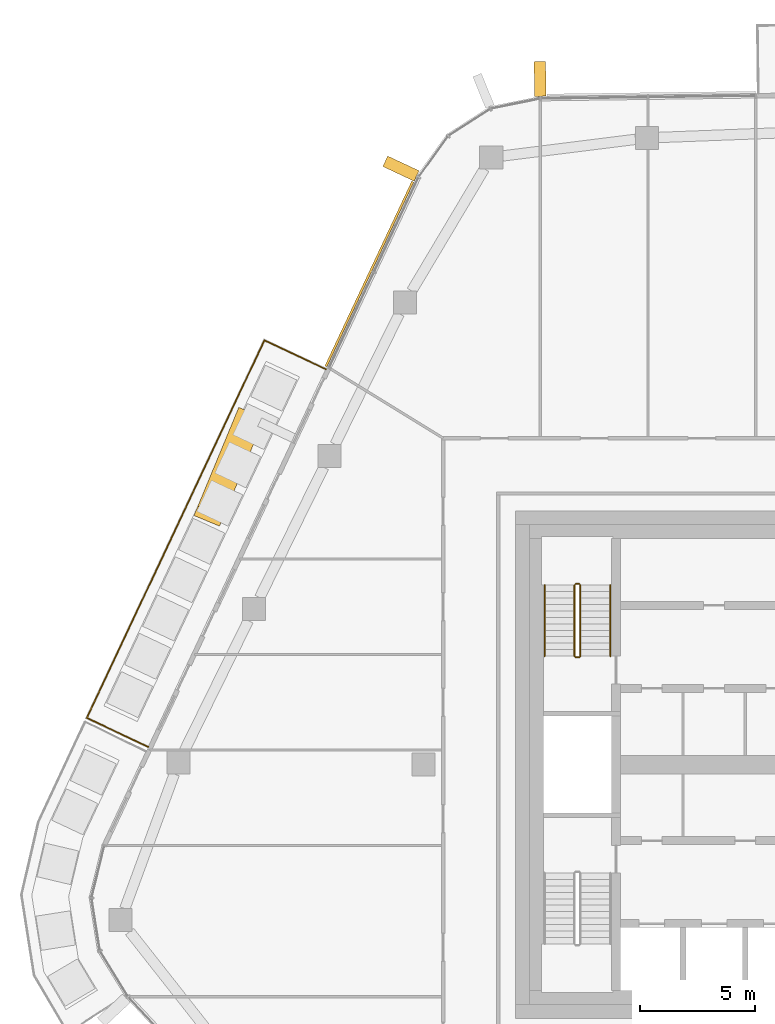
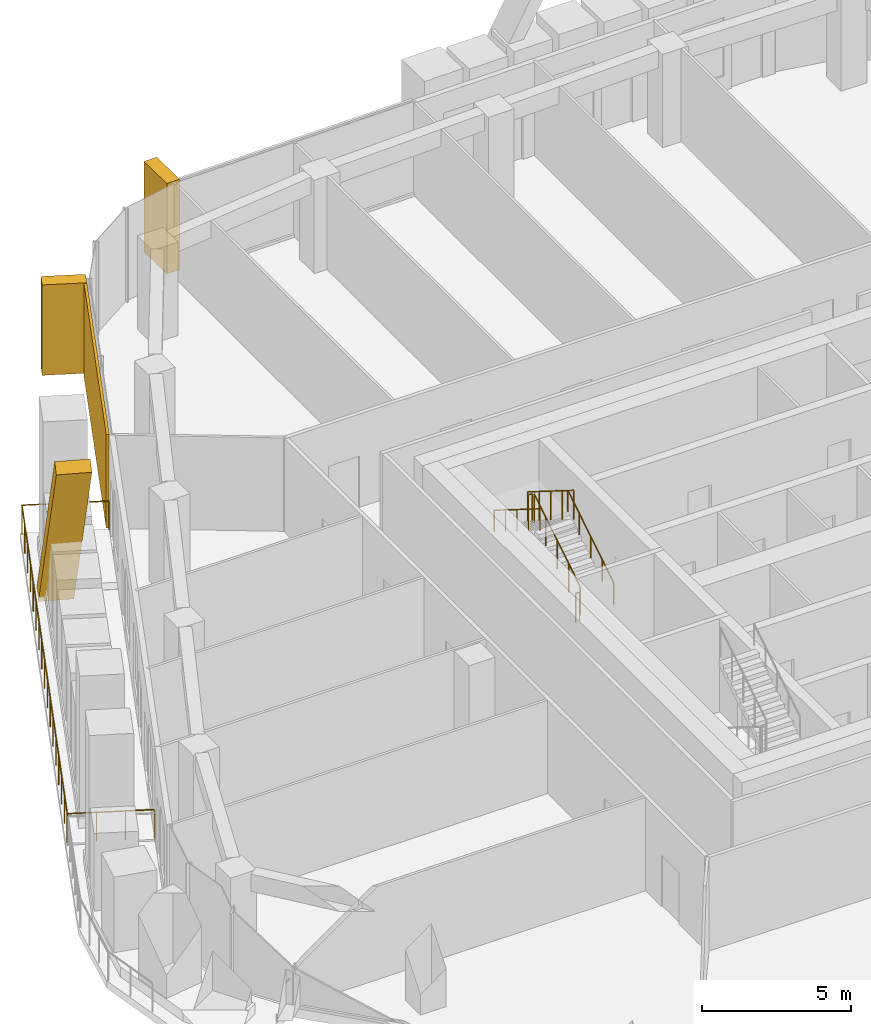
# One storey, part 21 of 23: 7 railings, 4 coverings, 2 elements without a shape of their own.
"""IFC4 building model written with IfcOpenShell, lengths in metres."""

from ifc_helpers import new_model, si_unit, direction, frame, origin, origin_2d, place, context, subcontext, project, spatial, rectangle, circle, extrude, material, layer, layer_set, material_profile, profile_set, type_object, element, aggregate, save


model = new_model("IFC4")

# Units and contexts
model_context = context("Model", 3, precision=1e-05, world=origin(), true_north=direction((0.0, 1.0)))
body_context = subcontext(model_context, "Body", "Model", "MODEL_VIEW")
ifc_project = project(units=[si_unit("LENGTHUNIT", "METRE"), si_unit("AREAUNIT", "SQUARE_METRE"), si_unit("VOLUMEUNIT", "CUBIC_METRE"), si_unit("PLANEANGLEUNIT", "RADIAN"), si_unit("MASSUNIT", "GRAM", prefix="KILO")], contexts=[model_context])

# Site, building, storey
site_placement = place(None, origin())
site = spatial("IfcSite", under=ifc_project, at=site_placement, CompositionType="ELEMENT")
building_placement = place(site_placement, origin())
building = spatial("IfcBuilding", under=site, at=building_placement, Name="Dongbaek Canopy Tower", CompositionType="ELEMENT")
storey_placement = place(building_placement, frame((0.0, 0.0, 340.39990234375)))
storey = spatial("IfcBuildingStorey", under=building, at=storey_placement, Name="L73", CompositionType="ELEMENT", Elevation=340.39990234375)

# Railing
ifc_material_1 = material(Name="Stainless steel", Category="steel")
railing_type_1 = type_object("IfcRailingType", Name="Balcony balustrade 1200", PredefinedType="BALUSTRADE", material=ifc_material_1)
railing_1_placement = place(storey_placement, frame((-22.236083984375, 17.13818359375, 0.0)))
element("IfcRailing", 1, at=railing_1_placement, inside=storey, type_object=railing_type_1, Name="Balcony guard L73 3", PredefinedType="BALUSTRADE", context=body_context, shape_type="SweptSolid", body=[
    extrude(circle(Radius=0.02392578125, at=origin_2d()), frame((0.0, 0.0, 1.17578125), z_axis=(-0.904961676256, 0.425493083973, 0.0), x_axis=(-0.425493083973, -0.904961676256, 0.0)), (0.0, 0.0, 1.0), 2.93994140625),
    extrude(circle(Radius=0.02392578125, at=origin_2d()), frame((-2.66064453125, 1.2509765625, 1.17578125), z_axis=(-0.425494781749, -0.904960877997, 0.0), x_axis=(0.904960877997, -0.425494781749, 0.0)), (0.0, 0.0, 1.0), 18.089599609375),
    extrude(circle(Radius=0.02392578125, at=origin_2d()), frame((-10.357666015625, -15.119384765625, 1.17578125), z_axis=(0.904961676256, -0.425493083973, 0.0), x_axis=(0.425493083973, 0.904961676256, 0.0)), (0.0, 0.0, 1.0), 2.93994140625),
    extrude(circle(Radius=0.02099609375, at=origin_2d()), origin(), (0.0, 0.0, 1.0), 1.15185546875),
    extrude(circle(Radius=0.02099609375, at=origin_2d()), frame((-0.886962890625, 0.4169921875, 0.0)), (0.0, 0.0, 1.0), 1.15185546875),
    extrude(circle(Radius=0.02099609375, at=origin_2d()), frame((-1.773681640625, 0.833984375, 0.0)), (0.0, 0.0, 1.0), 1.15185546875),
    extrude(circle(Radius=0.02099609375, at=origin_2d()), frame((-2.66064453125, 1.2509765625, 0.0)), (0.0, 0.0, 1.0), 1.15185546875),
    extrude(circle(Radius=0.02099609375, at=origin_2d()), frame((-3.1416015625, 0.227783203125, 0.0)), (0.0, 0.0, 1.0), 1.15185546875),
    extrude(circle(Radius=0.02099609375, at=origin_2d()), frame((-3.622802734375, -0.79541015625, 0.0)), (0.0, 0.0, 1.0), 1.15185546875),
    extrude(circle(Radius=0.02099609375, at=origin_2d()), frame((-4.103759765625, -1.818359375, 0.0)), (0.0, 0.0, 1.0), 1.15185546875),
    extrude(circle(Radius=0.02099609375, at=origin_2d()), frame((-4.5849609375, -2.841552734375, 0.0)), (0.0, 0.0, 1.0), 1.15185546875),
    extrude(circle(Radius=0.02099609375, at=origin_2d()), frame((-5.06591796875, -3.86474609375, 0.0)), (0.0, 0.0, 1.0), 1.15185546875),
    extrude(circle(Radius=0.02099609375, at=origin_2d()), frame((-5.547119140625, -4.887939453125, 0.0)), (0.0, 0.0, 1.0), 1.15185546875),
    extrude(circle(Radius=0.02099609375, at=origin_2d()), frame((-6.028076171875, -5.9111328125, 0.0)), (0.0, 0.0, 1.0), 1.15185546875),
    extrude(circle(Radius=0.02099609375, at=origin_2d()), frame((-6.50927734375, -6.93408203125, 0.0)), (0.0, 0.0, 1.0), 1.15185546875),
    extrude(circle(Radius=0.02099609375, at=origin_2d()), frame((-6.990234375, -7.957275390625, 0.0)), (0.0, 0.0, 1.0), 1.15185546875),
    extrude(circle(Radius=0.02099609375, at=origin_2d()), frame((-7.47119140625, -8.98046875, 0.0)), (0.0, 0.0, 1.0), 1.15185546875),
    extrude(circle(Radius=0.02099609375, at=origin_2d()), frame((-7.952392578125, -10.003662109375, 0.0)), (0.0, 0.0, 1.0), 1.15185546875),
    extrude(circle(Radius=0.02099609375, at=origin_2d()), frame((-8.433349609375, -11.02685546875, 0.0)), (0.0, 0.0, 1.0), 1.15185546875),
    extrude(circle(Radius=0.02099609375, at=origin_2d()), frame((-8.91455078125, -12.050048828125, 0.0)), (0.0, 0.0, 1.0), 1.15185546875),
    extrude(circle(Radius=0.02099609375, at=origin_2d()), frame((-9.3955078125, -13.072998046875, 0.0)), (0.0, 0.0, 1.0), 1.15185546875),
    extrude(circle(Radius=0.02099609375, at=origin_2d()), frame((-9.876708984375, -14.09619140625, 0.0)), (0.0, 0.0, 1.0), 1.15185546875),
    extrude(circle(Radius=0.02099609375, at=origin_2d()), frame((-10.357666015625, -15.119384765625, 0.0)), (0.0, 0.0, 1.0), 1.15185546875),
    extrude(circle(Radius=0.02099609375, at=origin_2d()), frame((-9.470703125, -15.536376953125, 0.0)), (0.0, 0.0, 1.0), 1.15185546875),
    extrude(circle(Radius=0.02099609375, at=origin_2d()), frame((-8.583984375, -15.953369140625, 0.0)), (0.0, 0.0, 1.0), 1.15185546875),
    extrude(circle(Radius=0.02099609375, at=origin_2d()), frame((-7.697021484375, -16.370361328125, 0.0)), (0.0, 0.0, 1.0), 1.15185546875),
])

# Curtain wall, coverings
ifc_material_2 = material(Name="Aluminium 6063-T6 pale anodised", Category="aluminium")
ifc_layer_1 = layer(ifc_material_2, 0.199951171875)
ifc_layer_set_1 = layer_set([ifc_layer_1], Name="CW-1 unitised tower curtain wall")
curtain_wall_type = type_object("IfcCurtainWallType", Name="CW-1 unitised tower curtain wall", PredefinedType="NOTDEFINED", material=ifc_layer_set_1)
curtain_wall_1_placement = place(storey_placement, origin())
curtain_wall_1 = element("IfcCurtainWall", 2, at=curtain_wall_1_placement, inside=storey, type_object=curtain_wall_type, Name="CW-1 curtain wall F2.1", PredefinedType="NOTDEFINED")
ifc_material_3 = material(Name="Aluminium 6063-T6 pale metal fin", Category="aluminium")
ifc_material_profile_1 = material_profile(ifc_material_3, rectangle(XDim=1.199951171875, YDim=0.5, at=origin_2d()), Name="Crease fin CF1 500 x 1200 pale metal")
ifc_profile_set_1 = profile_set([ifc_material_profile_1], Name="Aluminium 6063-T6 pale metal fin")
covering_type_1 = type_object("IfcCoveringType", Name="Crease fin CF1 500 x 1200 pale metal", PredefinedType="CLADDING", material=ifc_profile_set_1)
covering_1_placement = place(storey_placement, frame((-25.53515625, 15.04833984375, -0.18994140625), z_axis=(-0.185020468083, -0.446329117063, 0.875532835279), x_axis=(0.923773469871, -0.382939389933, 0.0)))
covering_1 = element("IfcCovering", 3, at=covering_1_placement, type_object=covering_type_1, Name="Crease fin L73 L75 F2", PredefinedType="CLADDING", context=body_context, shape_type="SweptSolid", body=[
    extrude(rectangle(XDim=1.199951171875, YDim=0.5, at=origin_2d()), origin(), (0.0, 0.0, 1.0), 9.59423828125),
])
ifc_material_4 = material(Name="Perforated aluminium 6063-T6 pale metal screen", Category="aluminium")
ifc_layer_2 = layer(ifc_material_4, 0.10009765625)
ifc_layer_set_2 = layer_set([ifc_layer_2], Name="Facet screen FS1 100 pale metal")
covering_type_2 = type_object("IfcCoveringType", Name="Facet screen FS1 100 pale metal", PredefinedType="CLADDING", material=ifc_layer_set_2)
covering_2_placement = place(storey_placement, frame((-20.346923828125, 21.26416015625, 0.0), z_axis=(0.0, 0.0, 1.0), x_axis=(-0.425499749114, -0.904958542423, 0.0)))
covering_2 = element("IfcCovering", 4, at=covering_2_placement, type_object=covering_type_2, Name="Facet screen L73 F2", PredefinedType="CLADDING", context=body_context, shape_type="SweptSolid", body=[
    extrude(rectangle(XDim=8.85546875, YDim=0.10009765625, at=origin_2d()), origin(), (0.0, 0.0, 1.0), 3.820068359375),
])

# Curtain wall, covering
curtain_wall_2_placement = place(storey_placement, origin())
curtain_wall_2 = element("IfcCurtainWall", 5, at=curtain_wall_2_placement, inside=storey, type_object=curtain_wall_type, Name="CW-1 curtain wall F1.1", PredefinedType="NOTDEFINED")
ifc_material_5 = material(Name="Aluminium 6063-T6 pale metal fin", Category="aluminium")
ifc_material_profile_2 = material_profile(ifc_material_5, rectangle(XDim=1.5, YDim=0.5, at=origin_2d()), Name="Fin FN1 500 x 1500 pale metal")
ifc_profile_set_2 = profile_set([ifc_material_profile_2], Name="Aluminium 6063-T6 pale metal fin")
covering_type_3 = type_object("IfcCoveringType", Name="Fin FN1 500 x 1500 pale metal", PredefinedType="CLADDING", material=ifc_profile_set_2)
covering_3_placement = place(storey_placement, frame((-12.943603515625, 29.718994140625, 0.1201171875), z_axis=(0.0, 0.0, 1.0), x_axis=(-0.013165315653, 0.999913333476, 0.0)))
covering_3 = element("IfcCovering", 6, at=covering_3_placement, type_object=covering_type_3, Name="Fin F1.1.3", PredefinedType="CLADDING", context=body_context, shape_type="SweptSolid", body=[
    extrude(rectangle(XDim=1.5, YDim=0.5, at=origin_2d()), origin(), (0.0, 0.0, 1.0), 3.699951171875),
])
aggregate(curtain_wall_2, [covering_3])

# Covering
covering_4_placement = place(storey_placement, frame((-18.9765625, 25.8330078125, 0.1201171875), z_axis=(0.0, 0.0, 1.0), x_axis=(-0.90495825448, 0.425500361514, 0.0)))
covering_4 = element("IfcCovering", 7, at=covering_4_placement, type_object=covering_type_3, Name="Fin F2.1.1", PredefinedType="CLADDING", context=body_context, shape_type="SweptSolid", body=[
    extrude(rectangle(XDim=1.5, YDim=0.5, at=origin_2d()), origin(), (0.0, 0.0, 1.0), 3.699951171875),
])

aggregate(curtain_wall_1, [covering_4, covering_1, covering_2])

# Railings
ifc_material_6 = material(Name="Stainless steel tube and balusters", Category="steel")
railing_type_2 = type_object("IfcRailingType", Name="Stair guard 1200", PredefinedType="GUARDRAIL", material=ifc_material_6)
railing_2_placement = place(storey_placement, frame((-11.199951171875, 4.699951171875, 0.175048828125)))
element("IfcRailing", 8, at=railing_2_placement, inside=storey, type_object=railing_type_2, Name="L73 ST-C stair guard 1", PredefinedType="GUARDRAIL", context=body_context, shape_type="SweptSolid", body=[
    extrude(circle(Radius=0.02392578125, at=origin_2d()), frame((0.0, 0.0, 1.17578125), z_axis=(0.0, 0.847998304005, 0.529998940003), x_axis=(-1.0, 0.0, 0.0)), (0.0, 0.0, 1.0), 3.632080078125),
    extrude(circle(Radius=0.02099609375, at=origin_2d()), origin(), (0.0, 0.0, 1.0), 1.15185546875),
    extrude(circle(Radius=0.02099609375, at=origin_2d()), frame((0.0, 0.77001953125, 0.481201171875)), (0.0, 0.0, 1.0), 1.15185546875),
    extrude(circle(Radius=0.02099609375, at=origin_2d()), frame((0.0, 1.5400390625, 0.96240234375)), (0.0, 0.0, 1.0), 1.15185546875),
    extrude(circle(Radius=0.02099609375, at=origin_2d()), frame((0.0, 2.31005859375, 1.44384765625)), (0.0, 0.0, 1.0), 1.15185546875),
    extrude(circle(Radius=0.02099609375, at=origin_2d()), frame((0.0, 3.080078125, 1.925048828125)), (0.0, 0.0, 1.0), 1.15185546875),
])
railing_3_placement = place(storey_placement, frame((-11.25, 7.830078125, 2.10009765625)))
element("IfcRailing", 9, at=railing_3_placement, inside=storey, type_object=railing_type_2, Name="L73 ST-C stair guard 2", PredefinedType="GUARDRAIL", context=body_context, shape_type="SweptSolid", body=[
    extrude(circle(Radius=0.02392578125, at=origin_2d()), frame((0.0, 0.0, 1.17578125), z_axis=(-1.0, 0.0, 0.0), x_axis=(0.0, -1.0, 0.0)), (0.0, 0.0, 1.0), 0.14990234375),
    extrude(circle(Radius=0.02099609375, at=origin_2d()), origin(), (0.0, 0.0, 1.0), 1.15185546875),
    extrude(circle(Radius=0.02099609375, at=origin_2d()), frame((-0.14990234375, 0.0, 0.0)), (0.0, 0.0, 1.0), 1.15185546875),
])
railing_4_placement = place(storey_placement, frame((-11.449951171875, 7.780029296875, 2.275146484375)))
element("IfcRailing", 10, at=railing_4_placement, inside=storey, type_object=railing_type_2, Name="L73 ST-C stair guard 3", PredefinedType="GUARDRAIL", context=body_context, shape_type="SweptSolid", body=[
    extrude(circle(Radius=0.02392578125, at=origin_2d()), frame((0.0, 0.0, 1.17578125), z_axis=(0.0, -0.847998304005, 0.529998940003), x_axis=(1.0, 0.0, 0.0)), (0.0, 0.0, 1.0), 3.632080078125),
    extrude(circle(Radius=0.02099609375, at=origin_2d()), origin(), (0.0, 0.0, 1.0), 1.15185546875),
    extrude(circle(Radius=0.02099609375, at=origin_2d()), frame((0.0, -0.77001953125, 0.481201171875)), (0.0, 0.0, 1.0), 1.15185546875),
    extrude(circle(Radius=0.02099609375, at=origin_2d()), frame((0.0, -1.5400390625, 0.96240234375)), (0.0, 0.0, 1.0), 1.15185546875),
    extrude(circle(Radius=0.02099609375, at=origin_2d()), frame((0.0, -2.31005859375, 1.44384765625)), (0.0, 0.0, 1.0), 1.15185546875),
    extrude(circle(Radius=0.02099609375, at=origin_2d()), frame((0.0, -3.080078125, 1.925048828125)), (0.0, 0.0, 1.0), 1.15185546875),
])
railing_5_placement = place(storey_placement, frame((-11.25, 4.64990234375, 0.0)))
element("IfcRailing", 11, at=railing_5_placement, inside=storey, type_object=railing_type_2, Name="L73 ST-C stair guard 4", PredefinedType="GUARDRAIL", context=body_context, shape_type="SweptSolid", body=[
    extrude(circle(Radius=0.02392578125, at=origin_2d()), frame((0.0, 0.0, 1.17578125), z_axis=(-1.0, 0.0, 0.0), x_axis=(0.0, -1.0, 0.0)), (0.0, 0.0, 1.0), 0.14990234375),
    extrude(circle(Radius=0.02099609375, at=origin_2d()), origin(), (0.0, 0.0, 1.0), 1.15185546875),
    extrude(circle(Radius=0.02099609375, at=origin_2d()), frame((-0.14990234375, 0.0, 0.0)), (0.0, 0.0, 1.0), 1.15185546875),
])
ifc_material_7 = material(Name="Stainless steel tube", Category="steel")
railing_type_3 = type_object("IfcRailingType", Name="Stair handrail 900", PredefinedType="HANDRAIL", material=ifc_material_7)
railing_6_placement = place(storey_placement, frame((-9.89990234375, 4.699951171875, 0.175048828125)))
element("IfcRailing", 12, at=railing_6_placement, inside=storey, type_object=railing_type_3, Name="L73 ST-C stair handrail 1", PredefinedType="HANDRAIL", context=body_context, shape_type="SweptSolid", body=[
    extrude(circle(Radius=0.02392578125, at=origin_2d()), frame((0.0, 0.0, 0.8759765625), z_axis=(0.0, 0.847998304005, 0.529998940003), x_axis=(-1.0, 0.0, 0.0)), (0.0, 0.0, 1.0), 3.632080078125),
    extrude(circle(Radius=0.02099609375, at=origin_2d()), origin(), (0.0, 0.0, 1.0), 0.851806640625),
    extrude(circle(Radius=0.02099609375, at=origin_2d()), frame((0.0, 0.77001953125, 0.481201171875)), (0.0, 0.0, 1.0), 0.851806640625),
    extrude(circle(Radius=0.02099609375, at=origin_2d()), frame((0.0, 1.5400390625, 0.96240234375)), (0.0, 0.0, 1.0), 0.851806640625),
    extrude(circle(Radius=0.02099609375, at=origin_2d()), frame((0.0, 2.31005859375, 1.44384765625)), (0.0, 0.0, 1.0), 0.851806640625),
    extrude(circle(Radius=0.02099609375, at=origin_2d()), frame((0.0, 3.080078125, 1.925048828125)), (0.0, 0.0, 1.0), 0.851806640625),
])
railing_7_placement = place(storey_placement, frame((-12.75, 7.780029296875, 2.275146484375)))
element("IfcRailing", 13, at=railing_7_placement, inside=storey, type_object=railing_type_3, Name="L73 ST-C stair handrail 2", PredefinedType="HANDRAIL", context=body_context, shape_type="SweptSolid", body=[
    extrude(circle(Radius=0.02392578125, at=origin_2d()), frame((0.0, 0.0, 0.8759765625), z_axis=(0.0, -0.847998304005, 0.529998940003), x_axis=(1.0, 0.0, 0.0)), (0.0, 0.0, 1.0), 3.632080078125),
    extrude(circle(Radius=0.02099609375, at=origin_2d()), origin(), (0.0, 0.0, 1.0), 0.851806640625),
    extrude(circle(Radius=0.02099609375, at=origin_2d()), frame((0.0, -0.77001953125, 0.481201171875)), (0.0, 0.0, 1.0), 0.851806640625),
    extrude(circle(Radius=0.02099609375, at=origin_2d()), frame((0.0, -1.5400390625, 0.96240234375)), (0.0, 0.0, 1.0), 0.851806640625),
    extrude(circle(Radius=0.02099609375, at=origin_2d()), frame((0.0, -2.31005859375, 1.44384765625)), (0.0, 0.0, 1.0), 0.851806640625),
    extrude(circle(Radius=0.02099609375, at=origin_2d()), frame((0.0, -3.080078125, 1.925048828125)), (0.0, 0.0, 1.0), 0.851806640625),
])

save(model, "model.ifc")
